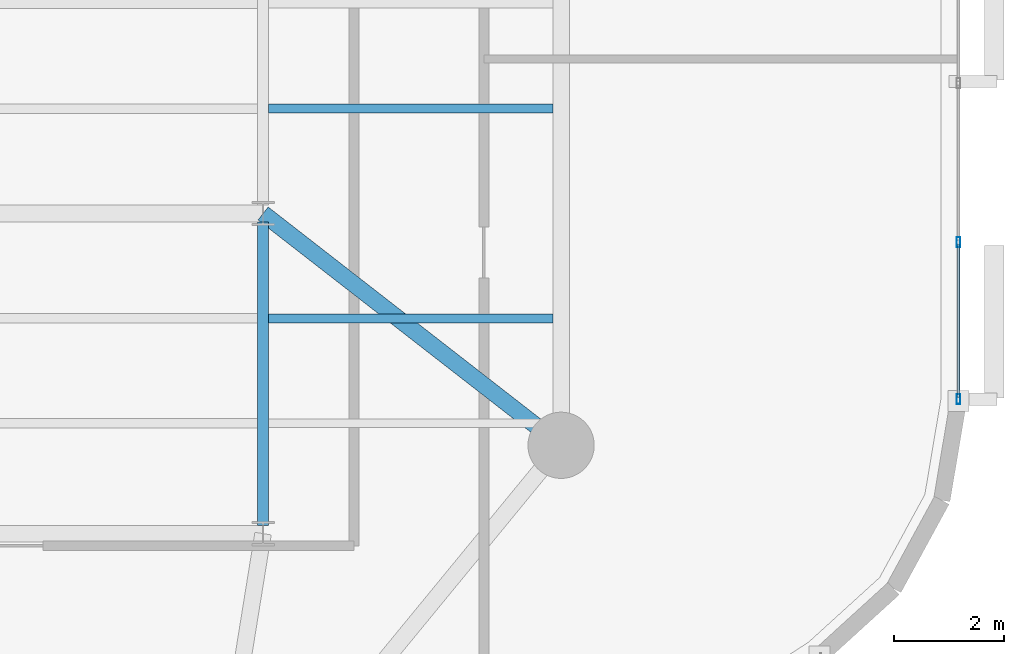
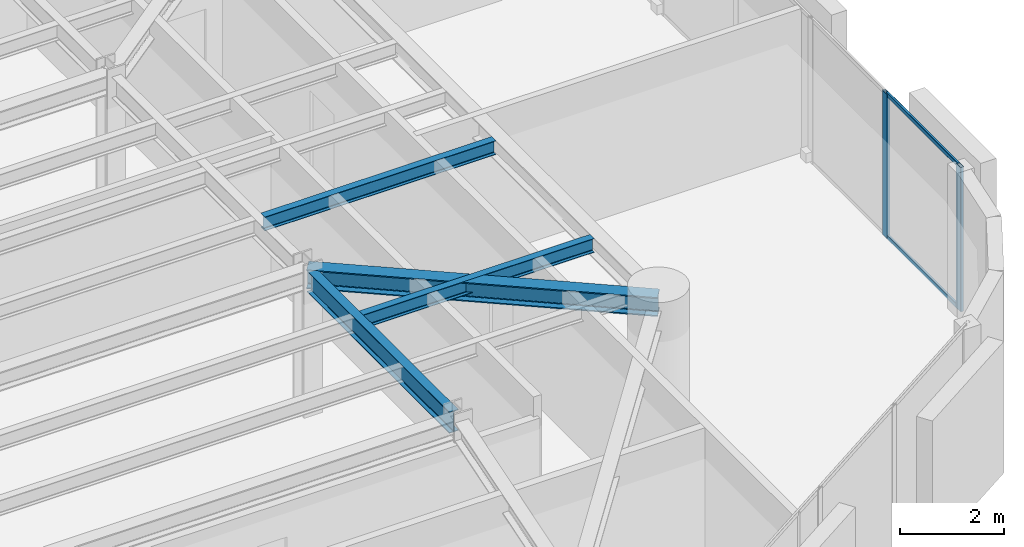
# One storey, part 3 of 15: 4 beams, 4 members, 1 element without a shape of its own.
"""IFC4 building model written with IfcOpenShell, lengths in metres."""

import ifcopenshell
import ifcopenshell.guid

model = None  # the IFC model being written
_history = None  # IfcOwnerHistory: only IFC2X3 demands one
_inside = {}  # id of a spatial element -> (the spatial element, [elements in it])
_under = {}  # id of a project, library or spatial element -> (it, [spatial elements below it])
_declared = {}  # id of a project -> (the project, [libraries it declares])
_typed = {}  # id of a type object -> (the type object, [elements of that type])
_made_of = {}  # id of a material, layer set ... -> (it, [elements and type objects made of it])


def new_model(schema):
    """Start an empty IFC model of exactly this schema.

    Asked for "IFC4X3", IfcOpenShell would pick the latest addendum, in which some entities
    have other attributes; the version numbers below select the first issue.
    IFC2X3 requires an IfcOwnerHistory on every rooted entity: one is made here for all.
    """
    global model, _history
    if schema == "IFC4X3":
        model = ifcopenshell.file(schema_version=(4, 3, 0, 0))
    else:
        model = ifcopenshell.file(schema=schema)
    _inside.clear()
    _under.clear()
    _declared.clear()
    _typed.clear()
    _made_of.clear()
    _history = None
    if model.schema == "IFC2X3":
        org = make("IfcOrganization", Name="unknown")
        user = make(
            "IfcPersonAndOrganization",
            ThePerson=make("IfcPerson", FamilyName="unknown"),
            TheOrganization=org,
        )
        app = make(
            "IfcApplication",
            ApplicationDeveloper=org,
            Version="unknown",
            ApplicationFullName="unknown",
            ApplicationIdentifier="unknown",
        )
        _history = make(
            "IfcOwnerHistory",
            OwningUser=user,
            OwningApplication=app,
            ChangeAction="ADDED",
            CreationDate=0,
        )
    return model


def make(cls, **values):
    """One entity of the class cls with the attributes given. An attribute that is None is left unset."""
    return model.create_entity(
        cls, **{name: value for name, value in values.items() if value is not None}
    )


def rooted(cls, **values):
    """An entity with a GlobalId (a new one), such as an element, a storey or a relation."""
    return make(cls, GlobalId=ifcopenshell.guid.new(), OwnerHistory=_history, **values)


def si_unit(unit_type, name, prefix=None):
    """IfcSIUnit, for example si_unit("LENGTHUNIT", "METRE", prefix="MILLI")."""
    return make("IfcSIUnit", UnitType=unit_type, Prefix=prefix, Name=name)


def assignment(units):
    """IfcUnitAssignment: the units of a project."""
    return None if units is None else make("IfcUnitAssignment", Units=units)


def point(xyz):
    """IfcCartesianPoint."""
    return None if xyz is None else make("IfcCartesianPoint", Coordinates=xyz)


def direction(xyz):
    """IfcDirection."""
    return None if xyz is None else make("IfcDirection", DirectionRatios=xyz)


def frame(location, z_axis=None, x_axis=None):
    """IfcAxis2Placement3D, a coordinate frame: its origin and axes. An axis left out is left unset."""
    return make(
        "IfcAxis2Placement3D",
        Location=point(location),
        Axis=direction(z_axis),
        RefDirection=direction(x_axis),
    )


def frame_2d(location, x_axis=None):
    """IfcAxis2Placement2D, a coordinate frame in the plane: its origin and x axis."""
    return make(
        "IfcAxis2Placement2D", Location=point(location), RefDirection=direction(x_axis)
    )


def origin():
    """The frame at (0, 0, 0) with its axes left unset."""
    return frame((0.0, 0.0, 0.0))


def origin_2d():
    """The frame at (0, 0) in the plane with its x axis left unset."""
    return frame_2d((0.0, 0.0))


def place(relative_to, where):
    """IfcLocalPlacement: puts the frame where relative to a parent placement (None: the world)."""
    return make(
        "IfcLocalPlacement", PlacementRelTo=relative_to, RelativePlacement=where
    )


def context(
    kind, dimensions, precision=None, world=None, true_north=None, identifier=None
):
    """IfcGeometricRepresentationContext, for example the 3D "Model" context."""
    return make(
        "IfcGeometricRepresentationContext",
        ContextIdentifier=identifier,
        ContextType=kind,
        CoordinateSpaceDimension=dimensions,
        Precision=precision,
        WorldCoordinateSystem=world,
        TrueNorth=true_north,
    )


def subcontext(parent, identifier, kind, view, scale=None):
    """IfcGeometricRepresentationSubContext, for example "Body" below "Model"."""
    return make(
        "IfcGeometricRepresentationSubContext",
        ContextIdentifier=identifier,
        ContextType=kind,
        ParentContext=parent,
        TargetScale=scale,
        TargetView=view,
    )


def project(units=None, contexts=None):
    """IfcProject with its units and contexts."""
    return rooted(
        "IfcProject",
        Name="project",
        RepresentationContexts=contexts,
        UnitsInContext=assignment(units),
    )


def spatial(cls, under=None, at=None, **own):
    """A site, building, storey or space (cls), placed at a placement, below another one or the project."""
    s = rooted(cls, ObjectPlacement=at, **own)
    if under is not None:
        _under.setdefault(under.id(), (under, []))[1].append(s)
    return s


def profile(cls, at=None, kind="AREA", **sizes):
    """A parametric profile (cls). Its sizes go by their IFC names, for example OverallWidth=200.0."""
    return make(cls, ProfileType=kind, Position=at, **sizes)


def hollow_rectangle(**sizes):
    """IfcRectangleHollowProfileDef."""
    return profile("IfcRectangleHollowProfileDef", **sizes)


def i_section(**sizes):
    """IfcIShapeProfileDef."""
    return profile("IfcIShapeProfileDef", **sizes)


def extrude(swept, where, along, depth):
    """IfcExtrudedAreaSolid: the profile swept, set in the frame where, extruded along a direction by depth."""
    return make(
        "IfcExtrudedAreaSolid",
        SweptArea=swept,
        Position=where,
        ExtrudedDirection=direction(along),
        Depth=depth,
    )


def shape(context_of_items, identifier, shape_type, items):
    """IfcShapeRepresentation: the items that make up one representation, for example the "Body"."""
    return make(
        "IfcShapeRepresentation",
        ContextOfItems=context_of_items,
        RepresentationIdentifier=identifier,
        RepresentationType=shape_type,
        Items=items,
    )


def material(Name=None, Category=None):
    """IfcMaterial."""
    return make("IfcMaterial", Name=Name, Category=Category)


def layer(
    of_material, thickness, ventilated=None, Name=None, Category=None, Priority=None
):
    """IfcMaterialLayer: one layer of a wall or slab, of a material (None: an air gap)."""
    return make(
        "IfcMaterialLayer",
        Material=of_material,
        LayerThickness=thickness,
        IsVentilated=ventilated,
        Name=Name,
        Category=Category,
        Priority=Priority,
    )


def layer_set(layers, Name=None):
    """IfcMaterialLayerSet."""
    return make("IfcMaterialLayerSet", MaterialLayers=layers, LayerSetName=Name)


def material_profile(
    of_material, cross_section, Name=None, Category=None, Priority=None
):
    """IfcMaterialProfile: a cross section and its material."""
    return make(
        "IfcMaterialProfile",
        Name=Name,
        Material=of_material,
        Profile=cross_section,
        Priority=Priority,
        Category=Category,
    )


def profile_set(profiles, Name=None, composite=None):
    """IfcMaterialProfileSet."""
    return make(
        "IfcMaterialProfileSet",
        Name=Name,
        MaterialProfiles=profiles,
        CompositeProfile=composite,
    )


def made_of(thing, what):
    """Note that an element or type object is made of a material, layer set ...; save() writes the relation."""
    if what is not None:
        _made_of.setdefault(what.id(), (what, []))[1].append(thing)
    return thing


def type_object(cls, material=None, **own):
    """A type object (cls), such as IfcWallType, which elements share."""
    return made_of(rooted(cls, **own), material)


def element(
    cls,
    number,
    at=None,
    inside=None,
    cuts=None,
    type_object=None,
    material=None,
    context=None,
    identifier="Body",
    shape_type=None,
    held_by="IfcProductDefinitionShape",
    body=None,
    shapes=None,
    **own,
):
    """One element of the class cls, such as IfcWall. Its Tag is "e" and its number.

    at: its placement. inside: the storey or other place that contains it. cuts: it is an
    opening in that element (IfcRelVoidsElement). A single representation is given by context,
    identifier, shape_type and body (its items); several are given by shapes. held_by: the class
    of the entity that holds the representations. save() writes the other relations.
    """
    e = rooted(cls, Tag="e%d" % number, ObjectPlacement=at, **own)
    if body is not None:
        shapes = [shape(context, identifier, shape_type, body)]
    if shapes is not None:
        e.Representation = make(held_by, Representations=shapes)
    if inside is not None:
        _inside.setdefault(inside.id(), (inside, []))[1].append(e)
    if cuts is not None:
        rooted(
            "IfcRelVoidsElement", RelatingBuildingElement=cuts, RelatedOpeningElement=e
        )
    if type_object is not None:
        _typed.setdefault(type_object.id(), (type_object, []))[1].append(e)
    return made_of(e, material)


def aggregate(whole, parts):
    """IfcRelAggregates: a whole, such as a stair, and the parts it consists of."""
    return rooted("IfcRelAggregates", RelatingObject=whole, RelatedObjects=parts)


def save(model, path):
    """Write the relations noted so far, then the file.

    IfcRelAggregates (storeys below a building ...), IfcRelContainedInSpatialStructure (elements
    in a storey), IfcRelDefinesByType, IfcRelAssociatesMaterial and IfcRelDeclares: one each for
    every whole, place, type object, material and project.
    """
    for whole, parts in _under.values():
        aggregate(whole, parts)
    for where, things in _inside.values():
        rooted(
            "IfcRelContainedInSpatialStructure",
            RelatedElements=things,
            RelatingStructure=where,
        )
    for kind, things in _typed.values():
        rooted("IfcRelDefinesByType", RelatedObjects=things, RelatingType=kind)
    for what, things in _made_of.values():
        rooted("IfcRelAssociatesMaterial", RelatedObjects=things, RelatingMaterial=what)
    for by, libraries in _declared.values():
        rooted("IfcRelDeclares", RelatingContext=by, RelatedDefinitions=libraries)
    model.write(path)


model = new_model("IFC4")

# Units and contexts
model_context = context("Model", 3, precision=1e-05, world=origin(), true_north=direction((0.0, 1.0)))
body_context = subcontext(model_context, "Body", "Model", "MODEL_VIEW")
ifc_project = project(units=[si_unit("LENGTHUNIT", "METRE"), si_unit("AREAUNIT", "SQUARE_METRE"), si_unit("VOLUMEUNIT", "CUBIC_METRE"), si_unit("PLANEANGLEUNIT", "RADIAN"), si_unit("MASSUNIT", "GRAM", prefix="KILO")], contexts=[model_context])

# Site, building, storey
site_placement = place(None, origin())
site = spatial("IfcSite", under=ifc_project, at=site_placement, CompositionType="ELEMENT")
building_placement = place(site_placement, origin())
building = spatial("IfcBuilding", under=site, at=building_placement, Name="An Khanh Terracotta Commons", CompositionType="ELEMENT")
storey_placement = place(building_placement, frame((0.0, 0.0, 169.0)))
storey = spatial("IfcBuildingStorey", under=building, at=storey_placement, Name="L44", CompositionType="ELEMENT", Elevation=169.0)

# Beams
ifc_material_1 = material(Name="Steel S355J2", Category="steel")
ifc_material_profile_1 = material_profile(ifc_material_1, i_section(OverallWidth=0.300048828125, OverallDepth=0.449951171875, WebThickness=0.013916015625, FlangeThickness=0.02587890625, FilletRadius=0.027099609375, at=origin_2d()), Name="HEB450")
ifc_profile_set_1 = profile_set([ifc_material_profile_1], Name="Steel S355J2")
beam_type_1 = type_object("IfcBeamType", Name="BM-HEB450", PredefinedType="BEAM", material=ifc_profile_set_1)
beam_1_placement = place(storey_placement, frame((55.800048828125, 16.0, 3.175048828125), z_axis=(-0.789363746927, 0.61392578952, 0.0), x_axis=(-0.61392578952, -0.789363746927, 0.0)))
element("IfcBeam", 1, at=beam_1_placement, inside=storey, type_object=beam_type_1, Name="L44 Mega-Column Tie Girder 3", PredefinedType="BEAM", context=body_context, shape_type="SweptSolid", body=[
    extrude(i_section(OverallWidth=0.300048828125, OverallDepth=0.449951171875, WebThickness=0.013916015625, FlangeThickness=0.02587890625, FilletRadius=0.027099609375, at=origin_2d()), origin(), (0.0, 0.0, 1.0), 6.841064453125),
])
ifc_material_profile_2 = material_profile(ifc_material_1, i_section(OverallWidth=0.159912109375, OverallDepth=0.330078125, WebThickness=0.007568359375, FlangeThickness=0.011474609375, FilletRadius=0.01806640625, at=origin_2d()), Name="IPE330")
ifc_profile_set_2 = profile_set([ifc_material_profile_2], Name="Steel S355J2")
beam_type_2 = type_object("IfcBeamType", Name="BM-IPE330", PredefinedType="JOIST", material=ifc_profile_set_2)
for number, where, z_axis, x_axis, name in (
    (2, (50.5, 18.300048828125, 3.235107421875), (1.0, 0.0, 0.0), (0.0, 1.0, 0.0), "L44 Riverfront Composite Joist 2"),
    (3, (50.5, 22.10009765625, 3.235107421875), (1.0, 0.0, 0.0), (0.0, 1.0, 0.0), "L44 Riverfront Composite Joist 3"),
):
    element("IfcBeam", number, at=place(storey_placement, frame(where, z_axis=z_axis, x_axis=x_axis)), inside=storey, type_object=beam_type_2, Name=name, PredefinedType="JOIST", context=body_context, shape_type="SweptSolid", body=[
        extrude(i_section(OverallWidth=0.159912109375, OverallDepth=0.330078125, WebThickness=0.007568359375, FlangeThickness=0.011474609375, FilletRadius=0.01806640625, at=origin_2d()), origin(), (0.0, 0.0, 1.0), 5.14990234375),
    ])
ifc_material_profile_3 = material_profile(ifc_material_1, i_section(OverallWidth=0.199951171875, OverallDepth=0.5, WebThickness=0.01025390625, FlangeThickness=0.01611328125, FilletRadius=0.02099609375, at=origin_2d()), Name="IPE500")
ifc_profile_set_3 = profile_set([ifc_material_profile_3], Name="Steel S355J2")
beam_type_3 = type_object("IfcBeamType", Name="BM-IPE500", PredefinedType="BEAM", material=ifc_profile_set_3)
beam_2_placement = place(storey_placement, frame((50.39990234375, 14.550048828125, 3.14990234375), z_axis=(0.0, 1.0, 0.0), x_axis=(-1.0, 0.0, 0.0)))
element("IfcBeam", 4, at=beam_2_placement, inside=storey, type_object=beam_type_3, Name="L44 East Spine Girder 1", PredefinedType="BEAM", context=body_context, shape_type="SweptSolid", body=[
    extrude(i_section(OverallWidth=0.199951171875, OverallDepth=0.5, WebThickness=0.01025390625, FlangeThickness=0.01611328125, FilletRadius=0.02099609375, at=origin_2d()), origin(), (0.0, 0.0, 1.0), 5.5),
])

# Curtain wall, members
ifc_material_2 = material(Name="Anodised Aluminium 6063-T6", Category="aluminium")
ifc_layer = layer(ifc_material_2, 0.2099609375, Name="Anodised Aluminium 6063-T6")
ifc_layer_set = layer_set([ifc_layer], Name="Anodised Aluminium 6063-T6")
curtain_wall_type = type_object("IfcCurtainWallType", Name="CW-SYS-03", PredefinedType="USERDEFINED", material=ifc_layer_set)
curtain_wall_placement = place(storey_placement, origin())
curtain_wall = element("IfcCurtainWall", 5, at=curtain_wall_placement, inside=storey, type_object=curtain_wall_type, Name="L44 CW-03 Unitised Curtain Wall CW-L44-12", ObjectType="UNITISED CURTAIN WALL", PredefinedType="USERDEFINED")
ifc_material_profile_4 = material_profile(ifc_material_2, hollow_rectangle(XDim=0.070068359375, YDim=0.179931640625, WallThickness=0.00390625, InnerFilletRadius=0.00390625, OuterFilletRadius=0.008056640625, at=origin_2d()), Name="RHS180x70x4")
ifc_profile_set_4 = profile_set([ifc_material_profile_4], Name="Anodised Aluminium 6063-T6")
member_type_1 = type_object("IfcMemberType", Name="CWM-RHS180x70x4", PredefinedType="MULLION", material=ifc_profile_set_4)
member_1_placement = place(storey_placement, frame((63.0, 16.8349609375, 0.0), z_axis=(0.0, 0.0, 1.0), x_axis=(-1.0, 0.0, 0.0)))
member_1 = element("IfcMember", 6, at=member_1_placement, type_object=member_type_1, Name="CW-03 mullion 1", PredefinedType="MULLION", context=body_context, shape_type="SweptSolid", body=[
    extrude(hollow_rectangle(XDim=0.070068359375, YDim=0.179931640625, WallThickness=0.00390625, InnerFilletRadius=0.00390625, OuterFilletRadius=0.008056640625, at=origin_2d()), origin(), (0.0, 0.0, 1.0), 3.39990234375),
])
member_2_placement = place(storey_placement, frame((63.0, 19.679931640625, 0.0), z_axis=(0.0, 0.0, 1.0), x_axis=(-1.0, 0.0, 0.0)))
member_2 = element("IfcMember", 7, at=member_2_placement, type_object=member_type_1, Name="CW-03 mullion 2", PredefinedType="MULLION", context=body_context, shape_type="SweptSolid", body=[
    extrude(hollow_rectangle(XDim=0.070068359375, YDim=0.179931640625, WallThickness=0.00390625, InnerFilletRadius=0.00390625, OuterFilletRadius=0.008056640625, at=origin_2d()), origin(), (0.0, 0.0, 1.0), 3.39990234375),
])
ifc_material_profile_5 = material_profile(ifc_material_2, hollow_rectangle(XDim=0.050048828125, YDim=0.10009765625, WallThickness=0.003173828125, InnerFilletRadius=0.003173828125, OuterFilletRadius=0.00634765625, at=origin_2d()), Name="RHS100x50x3.2")
ifc_profile_set_5 = profile_set([ifc_material_profile_5], Name="Anodised Aluminium 6063-T6")
member_type_2 = type_object("IfcMemberType", Name="CWT-RHS100x50x3.2", PredefinedType="USERDEFINED", material=ifc_profile_set_5)
member_3_placement = place(storey_placement, frame((63.0, 16.8701171875, 0.02490234375), z_axis=(0.0, 1.0, 0.0), x_axis=(-1.0, 0.0, 0.0)))
member_3 = element("IfcMember", 8, at=member_3_placement, type_object=member_type_2, Name="CW-03 transom 1.1", ObjectType="TRANSOM", PredefinedType="USERDEFINED", context=body_context, shape_type="SweptSolid", body=[
    extrude(hollow_rectangle(XDim=0.050048828125, YDim=0.10009765625, WallThickness=0.003173828125, InnerFilletRadius=0.003173828125, OuterFilletRadius=0.00634765625, at=origin_2d()), origin(), (0.0, 0.0, 1.0), 2.77490234375),
])
member_4_placement = place(storey_placement, frame((63.0, 16.8701171875, 3.375), z_axis=(0.0, 1.0, 0.0), x_axis=(-1.0, 0.0, 0.0)))
member_4 = element("IfcMember", 9, at=member_4_placement, type_object=member_type_2, Name="CW-03 transom 1.2", ObjectType="TRANSOM", PredefinedType="USERDEFINED", context=body_context, shape_type="SweptSolid", body=[
    extrude(hollow_rectangle(XDim=0.050048828125, YDim=0.10009765625, WallThickness=0.003173828125, InnerFilletRadius=0.003173828125, OuterFilletRadius=0.00634765625, at=origin_2d()), origin(), (0.0, 0.0, 1.0), 2.77490234375),
])
aggregate(curtain_wall, [member_1, member_2, member_3, member_4])

save(model, "model.ifc")
